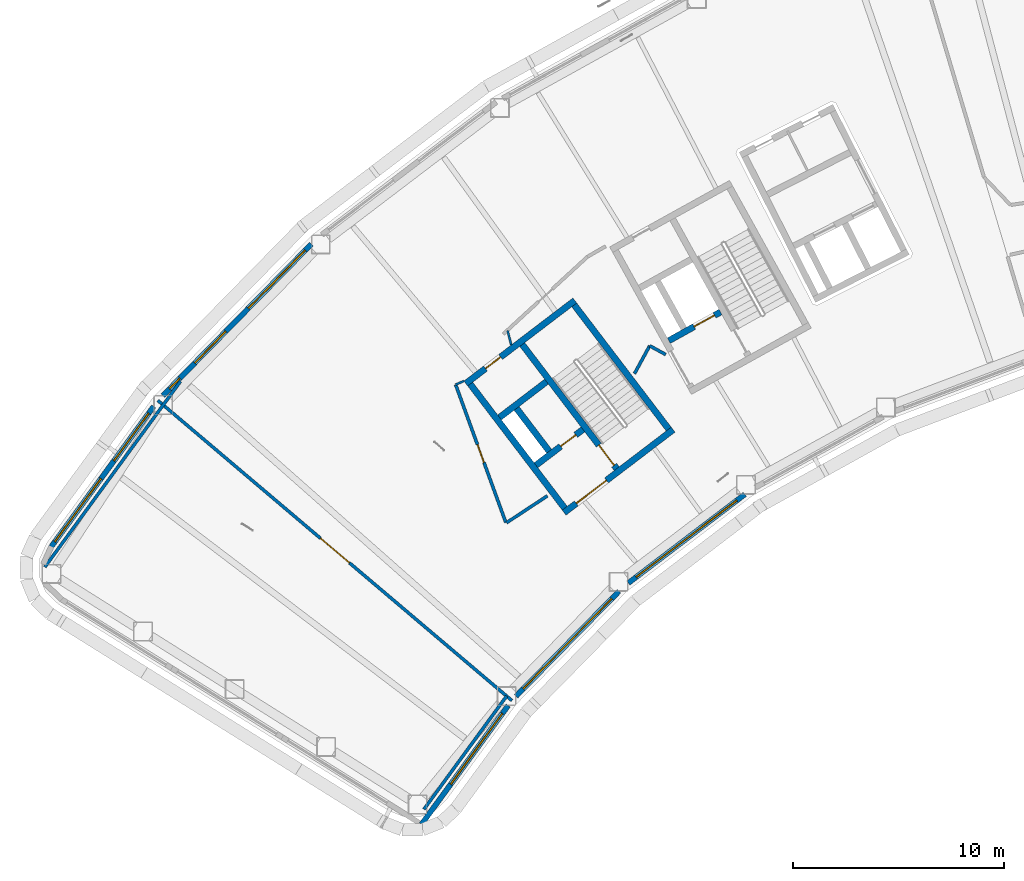
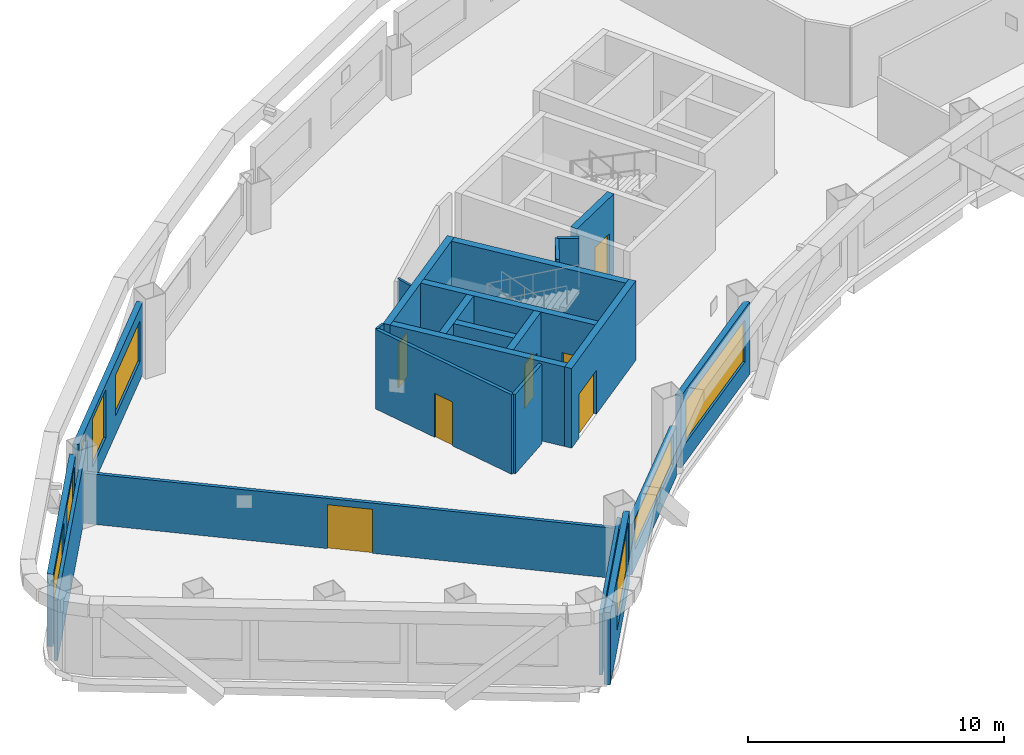
# One storey, part 5 of 20: 23 walls, 8 windows, 7 doors, 15 openings.
"""IFC4 building model written with IfcOpenShell, lengths in metres."""

from ifc_helpers import new_model, si_unit, direction, frame, frame_2d, origin, place, context, subcontext, project, spatial, rectangle, extrude, material, layer, layer_set, type_object, element, fill, save


model = new_model("IFC4")

# Units and contexts
model_context = context("Model", 3, precision=1e-05, world=origin(), true_north=direction((0.0, 1.0)))
body_context = subcontext(model_context, "Body", "Model", "MODEL_VIEW")
ifc_project = project(units=[si_unit("LENGTHUNIT", "METRE"), si_unit("AREAUNIT", "SQUARE_METRE"), si_unit("VOLUMEUNIT", "CUBIC_METRE"), si_unit("PLANEANGLEUNIT", "RADIAN"), si_unit("MASSUNIT", "GRAM", prefix="KILO")], contexts=[model_context])

# Site, building, storey
site_placement = place(None, origin())
site = spatial("IfcSite", under=ifc_project, at=site_placement, CompositionType="ELEMENT")
building_placement = place(site_placement, origin())
building = spatial("IfcBuilding", under=site, at=building_placement, Name="Tuul Gate Civic Tower", CompositionType="ELEMENT")
storey_placement = place(building_placement, frame((0.0, 0.0, 197.300048828125)))
storey = spatial("IfcBuildingStorey", under=building, at=storey_placement, Name="Level 45", CompositionType="ELEMENT", Elevation=197.300048828125)

# Wall, opening, door
ifc_material_1 = material(Name="Concrete C50/60", Category="concrete")
ifc_layer_1 = layer(ifc_material_1, 0.300048828125)
ifc_layer_set_1 = layer_set([ifc_layer_1], Name="Concrete C50/60")
wall_type_1 = type_object("IfcWallType", Name="Core wall C50/60", PredefinedType="SHEAR", material=ifc_layer_set_1)
wall_1_placement = place(storey_placement, frame((-31.19091796875, -13.669677734375, 0.0), z_axis=(0.0, 0.0, 1.0), x_axis=(-0.795606717756, -0.605813461934, 0.0)))
wall_1 = element("IfcWall", 1, at=wall_1_placement, inside=storey, type_object=wall_type_1, Name="Core wall", PredefinedType="SHEAR", context=body_context, shape_type="SweptSolid", body=[
    extrude(rectangle(XDim=6.5, YDim=0.300048828125, at=frame_2d((3.25, 0.0))), origin(), (0.0, 0.0, 1.0), 3.800048828125),
])
opening_1_placement = place(wall_1_placement, frame((3.97509765625, 0.0, 0.0)))
opening_1 = element("IfcOpeningElement", 2, at=opening_1_placement, cuts=wall_1, Name="Opening LB-W1-LOBBY-1", PredefinedType="OPENING", context=body_context, shape_type="SweptSolid", body=[
    extrude(rectangle(XDim=1.800048828125, YDim=2.10009765625, at=frame_2d((0.89990234375, 1.050048828125))), frame((0.0, 0.16015625, 0.0), z_axis=(0.0, -1.0, 0.0), x_axis=(1.0, 0.0, 0.0)), (0.0, 0.0, 1.0), 0.320068359375),
])
ifc_material_2 = material(Name="Steel", Category="steel")
door_type_1 = type_object("IfcDoorType", Name="Lobby door", OperationType="DOUBLE_DOOR_SINGLE_SWING", PredefinedType="DOOR", material=ifc_material_2)
door_1_placement = place(opening_1_placement, origin())
door_1 = element("IfcDoor", 3, at=door_1_placement, inside=storey, type_object=door_type_1, Name="Lobby door W1-LOBBY", OperationType="DOUBLE_DOOR_SINGLE_SWING", OverallHeight=2.10009765625, OverallWidth=1.800048828125, PredefinedType="DOOR", context=body_context, shape_type="SweptSolid", body=[
    extrude(rectangle(XDim=1.800048828125, YDim=2.10009765625, at=frame_2d((0.89990234375, 1.050048828125))), frame((0.0, 0.02490234375, 0.0), z_axis=(0.0, -1.0, 0.0), x_axis=(1.0, 0.0, 0.0)), (0.0, 0.0, 1.0), 0.050048828125),
])
fill(opening_1, door_1)

wall_2_placement = place(storey_placement, frame((-35.470947265625, -13.66064453125, 0.0), z_axis=(0.0, 0.0, 1.0), x_axis=(-0.795615822227, -0.605801504968, 0.0)))
wall_2 = element("IfcWall", 4, at=wall_2_placement, inside=storey, type_object=wall_type_1, Name="Core wall", PredefinedType="SHEAR", context=body_context, shape_type="SweptSolid", body=[
    extrude(rectangle(XDim=2.800048828125, YDim=0.300048828125, at=frame_2d((1.39990234375, 0.0))), origin(), (0.0, 0.0, 1.0), 3.800048828125),
])
opening_2_placement = place(wall_2_placement, frame((0.425048828125, 0.0, 0.0)))
opening_2 = element("IfcOpeningElement", 5, at=opening_2_placement, cuts=wall_2, Name="Opening FB-W1A1", PredefinedType="OPENING", context=body_context, shape_type="SweptSolid", body=[
    extrude(rectangle(XDim=0.89990234375, YDim=2.10009765625, at=frame_2d((0.449951171875, 1.050048828125))), frame((0.0, 0.16015625, 0.0), z_axis=(0.0, -1.0, 0.0), x_axis=(1.0, 0.0, 0.0)), (0.0, 0.0, 1.0), 0.320068359375),
])
ifc_material_3 = material(Name="Steel", Category="steel")
door_type_2 = type_object("IfcDoorType", Name="Store door", OperationType="NOTDEFINED", PredefinedType="DOOR", material=ifc_material_3)
door_2_placement = place(opening_2_placement, origin())
door_2 = element("IfcDoor", 6, at=door_2_placement, inside=storey, type_object=door_type_2, Name="Store door W1A1", OperationType="SINGLE_SWING_LEFT", OverallHeight=2.10009765625, OverallWidth=0.89990234375, PredefinedType="DOOR", context=body_context, shape_type="SweptSolid", body=[
    extrude(rectangle(XDim=0.89990234375, YDim=2.10009765625, at=frame_2d((0.449951171875, 1.050048828125))), frame((0.0, 0.02490234375, 0.0), z_axis=(0.0, -1.0, 0.0), x_axis=(1.0, 0.0, 0.0)), (0.0, 0.0, 1.0), 0.050048828125),
])
fill(opening_2, door_2)

# Wall
wall_3_placement = place(storey_placement, frame((-37.197509765625, -11.39306640625, 0.0), z_axis=(0.0, 0.0, 1.0), x_axis=(-0.795583820278, -0.605843531707, 0.0)))
element("IfcWall", 7, at=wall_3_placement, inside=storey, type_object=wall_type_1, Name="Core wall", PredefinedType="SHEAR", context=body_context, shape_type="SweptSolid", body=[
    extrude(rectangle(XDim=2.7998046875, YDim=0.300048828125, at=frame_2d((1.39990234375, 0.0))), origin(), (0.0, 0.0, 1.0), 3.800048828125),
])

# Wall, opening, door
wall_4_placement = place(storey_placement, frame((-35.855224609375, -7.543212890625, 0.0), z_axis=(0.0, 0.0, 1.0), x_axis=(-0.79563860527, -0.605771582202, 0.0)))
wall_4 = element("IfcWall", 8, at=wall_4_placement, inside=storey, type_object=wall_type_1, Name="Core wall", PredefinedType="SHEAR", context=body_context, shape_type="SweptSolid", body=[
    extrude(rectangle(XDim=6.5, YDim=0.300048828125, at=frame_2d((3.25, 0.0))), origin(), (0.0, 0.0, 1.0), 3.800048828125),
])
opening_3_placement = place(wall_4_placement, frame((4.425048828125, 0.0, 0.0)))
opening_3 = element("IfcOpeningElement", 9, at=opening_3_placement, cuts=wall_4, Name="Opening P-D12", PredefinedType="OPENING", context=body_context, shape_type="SweptSolid", body=[
    extrude(rectangle(XDim=0.89990234375, YDim=2.10009765625, at=frame_2d((0.449951171875, 1.050048828125))), frame((0.0, 0.16015625, 0.0), z_axis=(0.0, -1.0, 0.0), x_axis=(1.0, 0.0, 0.0)), (0.0, 0.0, 1.0), 0.320068359375),
])
ifc_material_4 = material(Name="Timber door leaf", Category="wood")
door_type_3 = type_object("IfcDoorType", Name="Door D09", OperationType="NOTDEFINED", PredefinedType="DOOR", material=ifc_material_4)
door_3_placement = place(opening_3_placement, origin())
door_3 = element("IfcDoor", 10, at=door_3_placement, inside=storey, type_object=door_type_3, Name="Door P-D12", OperationType="SINGLE_SWING_LEFT", OverallHeight=2.10009765625, OverallWidth=0.89990234375, PredefinedType="DOOR", context=body_context, shape_type="SweptSolid", body=[
    extrude(rectangle(XDim=0.89990234375, YDim=2.10009765625, at=frame_2d((0.449951171875, 1.050048828125))), frame((0.0, 0.02490234375, 0.0), z_axis=(0.0, -1.0, 0.0), x_axis=(1.0, 0.0, 0.0)), (0.0, 0.0, 1.0), 0.050048828125),
])
fill(opening_3, door_3)

# Wall
wall_5_placement = place(storey_placement, frame((-31.401123046875, -13.64111328125, 0.0), z_axis=(0.0, 0.0, 1.0), x_axis=(-0.605769822278, 0.795639945213, 0.0)))
element("IfcWall", 11, at=wall_5_placement, inside=storey, type_object=wall_type_1, Name="Core wall", PredefinedType="SHEAR", context=body_context, shape_type="SweptSolid", body=[
    extrude(rectangle(XDim=7.39990234375, YDim=0.300048828125, at=frame_2d((3.699951171875, 0.0))), origin(), (0.0, 0.0, 1.0), 3.800048828125),
])

# Wall, opening, door
wall_6_placement = place(storey_placement, frame((-33.867431640625, -15.51904296875, 0.0), z_axis=(0.0, 0.0, 1.0), x_axis=(-0.605769822278, 0.795639945213, 0.0)))
wall_6 = element("IfcWall", 12, at=wall_6_placement, inside=storey, type_object=wall_type_1, Name="Core wall", PredefinedType="SHEAR", context=body_context, shape_type="SweptSolid", body=[
    extrude(rectangle(XDim=7.39990234375, YDim=0.300048828125, at=frame_2d((3.699951171875, 0.0))), origin(), (0.0, 0.0, 1.0), 3.800048828125),
])
opening_4_placement = place(wall_6_placement, frame((0.199951171875, 0.0, 0.0)))
opening_4 = element("IfcOpeningElement", 13, at=opening_4_placement, cuts=wall_6, Name="Opening SD-ST-1", PredefinedType="OPENING", context=body_context, shape_type="SweptSolid", body=[
    extrude(rectangle(XDim=1.199951171875, YDim=2.10009765625, at=frame_2d((0.60009765625, 1.050048828125))), frame((0.0, 0.16015625, 0.0), z_axis=(0.0, -1.0, 0.0), x_axis=(1.0, 0.0, 0.0)), (0.0, 0.0, 1.0), 0.320068359375),
])
ifc_material_5 = material(Name="Steel", Category="steel")
door_type_4 = type_object("IfcDoorType", Name="Stair door", OperationType="NOTDEFINED", PredefinedType="DOOR", material=ifc_material_5)
door_4_placement = place(opening_4_placement, origin())
door_4 = element("IfcDoor", 14, at=door_4_placement, inside=storey, type_object=door_type_4, Name="Stair door ST-1", OperationType="SINGLE_SWING_LEFT", OverallHeight=2.10009765625, OverallWidth=1.199951171875, PredefinedType="DOOR", context=body_context, shape_type="SweptSolid", body=[
    extrude(rectangle(XDim=1.199951171875, YDim=2.10009765625, at=frame_2d((0.60009765625, 1.050048828125))), frame((0.0, 0.02490234375, 0.0), z_axis=(0.0, -1.0, 0.0), x_axis=(1.0, 0.0, 0.0)), (0.0, 0.0, 1.0), 0.050048828125),
])
fill(opening_4, door_4)

# Walls
wall_7_placement = place(storey_placement, frame((-37.073486328125, -14.6923828125, 0.0), z_axis=(0.0, 0.0, 1.0), x_axis=(-0.605728760074, 0.79567120673, 0.0)))
element("IfcWall", 15, at=wall_7_placement, inside=storey, type_object=wall_type_1, Name="Core wall", PredefinedType="SHEAR", context=body_context, shape_type="SweptSolid", body=[
    extrude(rectangle(XDim=2.550048828125, YDim=0.300048828125, at=frame_2d((1.27490234375, 0.0))), origin(), (0.0, 0.0, 1.0), 3.800048828125),
])
wall_8_placement = place(storey_placement, frame((-36.333984375, -17.397216796875, 0.0), z_axis=(0.0, 0.0, 1.0), x_axis=(-0.605753921168, 0.795652051458, 0.0)))
element("IfcWall", 16, at=wall_8_placement, inside=storey, type_object=wall_type_1, Name="Core wall", PredefinedType="SHEAR", context=body_context, shape_type="SweptSolid", body=[
    extrude(rectangle(XDim=7.400146484375, YDim=0.300048828125, at=frame_2d((3.7001953125, 0.0))), origin(), (0.0, 0.0, 1.0), 3.800048828125),
])

# Wall, opening, door
wall_9_placement = place(storey_placement, frame((-28.94580078125, -8.090087890625, 0.0), z_axis=(0.0, 0.0, 1.0), x_axis=(-0.874629840737, -0.484791338301, 0.0)))
wall_9 = element("IfcWall", 17, at=wall_9_placement, inside=storey, type_object=wall_type_1, Name="Core wall", PredefinedType="SHEAR", context=body_context, shape_type="SweptSolid", body=[
    extrude(rectangle(XDim=2.800048828125, YDim=0.300048828125, at=frame_2d((1.39990234375, 0.0))), origin(), (0.0, 0.0, 1.0), 3.800048828125),
])
opening_5_placement = place(wall_9_placement, frame((0.324951171875, 0.0, 0.0)))
opening_5 = element("IfcOpeningElement", 18, at=opening_5_placement, cuts=wall_9, Name="Opening LD-FF-1", PredefinedType="OPENING", context=body_context, shape_type="SweptSolid", body=[
    extrude(rectangle(XDim=1.10009765625, YDim=2.10009765625, at=frame_2d((0.550048828125, 1.050048828125))), frame((0.0, 0.16015625, 0.0), z_axis=(0.0, -1.0, 0.0), x_axis=(1.0, 0.0, 0.0)), (0.0, 0.0, 1.0), 0.320068359375),
])
ifc_material_6 = material(Name="Stainless steel", Category="steel")
door_type_5 = type_object("IfcDoorType", Name="Landing door", OperationType="DOUBLE_DOOR_SLIDING", PredefinedType="DOOR", material=ifc_material_6)
door_5_placement = place(opening_5_placement, origin())
door_5 = element("IfcDoor", 19, at=door_5_placement, inside=storey, type_object=door_type_5, Name="Fire-fighting lift FF-1 landing door", OperationType="DOUBLE_DOOR_SLIDING", OverallHeight=2.10009765625, OverallWidth=1.10009765625, PredefinedType="DOOR", context=body_context, shape_type="SweptSolid", body=[
    extrude(rectangle(XDim=1.10009765625, YDim=2.10009765625, at=frame_2d((0.550048828125, 1.050048828125))), frame((0.0, 0.02490234375, 0.0), z_axis=(0.0, -1.0, 0.0), x_axis=(1.0, 0.0, 0.0)), (0.0, 0.0, 1.0), 0.050048828125),
])
fill(opening_5, door_5)

# Walls
ifc_material_7 = material(Name="Gypsum board partition")
ifc_layer_2 = layer(ifc_material_7, 0.14990234375)
ifc_layer_set_2 = layer_set([ifc_layer_2], Name="Gypsum board partition")
wall_type_2 = type_object("IfcWallType", Name="Corridor wall P150", PredefinedType="PARTITIONING", material=ifc_layer_set_2)
wall_10_placement = place(storey_placement, frame((-32.30224609375, -9.691162109375, 0.0), z_axis=(0.0, 0.0, 1.0), x_axis=(0.877192627752, -0.480138619378, 0.0)))
element("IfcWall", 20, at=wall_10_placement, inside=storey, type_object=wall_type_2, Name="p033", PredefinedType="PARTITIONING", context=body_context, shape_type="SweptSolid", body=[
    extrude(rectangle(XDim=0.864013671875, YDim=0.14990234375, at=frame_2d((0.43212890625, 0.0))), origin(), (0.0, 0.0, 1.0), 3.800048828125),
])
wall_11_placement = place(storey_placement, frame((-33.025390625, -11.01171875, 0.0), z_axis=(0.0, 0.0, 1.0), x_axis=(0.479999637959, 0.87726868607, 0.0)))
element("IfcWall", 21, at=wall_11_placement, inside=storey, type_object=wall_type_2, Name="p034", PredefinedType="PARTITIONING", context=body_context, shape_type="SweptSolid", body=[
    extrude(rectangle(XDim=1.505126953125, YDim=0.14990234375, at=frame_2d((0.75244140625, 0.0))), origin(), (0.0, 0.0, 1.0), 3.800048828125),
])
wall_12_placement = place(storey_placement, frame((-39.0966796875, -18.0869140625, 0.0), z_axis=(0.0, 0.0, 1.0), x_axis=(0.835273398687, 0.549834838334, 0.0)))
element("IfcWall", 22, at=wall_12_placement, inside=storey, type_object=wall_type_2, Name="p035", PredefinedType="PARTITIONING", context=body_context, shape_type="SweptSolid", body=[
    extrude(rectangle(XDim=2.320556640625, YDim=0.14990234375, at=frame_2d((1.16015625, 0.0))), origin(), (0.0, 0.0, 1.0), 3.800048828125),
])

# Wall, opening, door
wall_13_placement = place(storey_placement, frame((-41.51025390625, -11.533447265625, 0.0), z_axis=(0.0, 0.0, 1.0), x_axis=(0.342294701166, -0.939592644476, 0.0)))
wall_13 = element("IfcWall", 23, at=wall_13_placement, inside=storey, type_object=wall_type_2, Name="p036", PredefinedType="PARTITIONING", context=body_context, shape_type="SweptSolid", body=[
    extrude(rectangle(XDim=6.964111328125, YDim=0.14990234375, at=frame_2d((3.48193359375, 0.0))), origin(), (0.0, 0.0, 1.0), 3.800048828125),
])
opening_6_placement = place(wall_13_placement, frame((3.031982421875, 0.0, 0.0)))
opening_6 = element("IfcOpeningElement", 24, at=opening_6_placement, cuts=wall_13, Name="Opening P-D10", PredefinedType="OPENING", context=body_context, shape_type="SweptSolid", body=[
    extrude(rectangle(XDim=0.89990234375, YDim=2.10009765625, at=frame_2d((0.449951171875, 1.050048828125))), frame((0.0, 0.0849609375, 0.0), z_axis=(0.0, -1.0, 0.0), x_axis=(1.0, 0.0, 0.0)), (0.0, 0.0, 1.0), 0.169921875),
])
door_6_placement = place(opening_6_placement, origin())
door_6 = element("IfcDoor", 25, at=door_6_placement, inside=storey, type_object=door_type_3, Name="Door P-D10", OperationType="SINGLE_SWING_RIGHT", OverallHeight=2.10009765625, OverallWidth=0.89990234375, PredefinedType="DOOR", context=body_context, shape_type="SweptSolid", body=[
    extrude(rectangle(XDim=0.89990234375, YDim=2.10009765625, at=frame_2d((0.449951171875, 1.050048828125))), frame((0.0, 0.02490234375, 0.0), z_axis=(0.0, -1.0, 0.0), x_axis=(1.0, 0.0, 0.0)), (0.0, 0.0, 1.0), 0.050048828125),
])
fill(opening_6, door_6)

ifc_material_8 = material(Name="Gypsum board partition")
ifc_layer_3 = layer(ifc_material_8, 0.14990234375)
ifc_layer_set_3 = layer_set([ifc_layer_3], Name="Gypsum board partition")
wall_type_3 = type_object("IfcWallType", Name="Corridor wall P150 2400 HIGH", PredefinedType="PARTITIONING", material=ifc_layer_set_3)
wall_14_placement = place(storey_placement, frame((-55.634521484375, -12.2861328125, 0.0), z_axis=(0.0, 0.0, 1.0), x_axis=(0.762829966003, -0.646599136226, 0.0)))
wall_14 = element("IfcWall", 26, at=wall_14_placement, inside=storey, type_object=wall_type_3, Name="p010", PredefinedType="PARTITIONING", context=body_context, shape_type="SweptSolid", body=[
    extrude(rectangle(XDim=22.017333984375, YDim=0.14990234375, at=frame_2d((11.0087890625, 0.0))), origin(), (0.0, 0.0, 1.0), 2.39990234375),
])
opening_7_placement = place(wall_14_placement, frame((10.108642578125, 0.0, 0.0)))
opening_7 = element("IfcOpeningElement", 27, at=opening_7_placement, cuts=wall_14, Name="Opening P-D02", PredefinedType="OPENING", context=body_context, shape_type="SweptSolid", body=[
    extrude(rectangle(XDim=1.800048828125, YDim=2.10009765625, at=frame_2d((0.89990234375, 1.050048828125))), frame((0.0, 0.0849609375, 0.0), z_axis=(0.0, -1.0, 0.0), x_axis=(1.0, 0.0, 0.0)), (0.0, 0.0, 1.0), 0.169921875),
])
ifc_material_9 = material(Name="Timber door leaf, double", Category="wood")
door_type_6 = type_object("IfcDoorType", Name="Door D18", OperationType="DOUBLE_DOOR_SINGLE_SWING", PredefinedType="DOOR", material=ifc_material_9)
door_7_placement = place(opening_7_placement, frame((1.800048828125, 0.0, 0.0), z_axis=(0.0, 0.0, 1.0), x_axis=(-1.0, 0.0, 0.0)))
door_7 = element("IfcDoor", 28, at=door_7_placement, inside=storey, type_object=door_type_6, Name="Door P-D02", OperationType="DOUBLE_DOOR_SINGLE_SWING", OverallHeight=2.10009765625, OverallWidth=1.800048828125, PredefinedType="DOOR", context=body_context, shape_type="SweptSolid", body=[
    extrude(rectangle(XDim=1.800048828125, YDim=2.10009765625, at=frame_2d((0.900146484375, 1.050048828125))), frame((0.0, 0.02490234375, 0.0), z_axis=(0.0, -1.0, 0.0), x_axis=(1.0, 0.0, 0.0)), (0.0, 0.0, 1.0), 0.050048828125),
])
fill(opening_7, door_7)

# Walls
ifc_material_10 = material(Name="Gypsum board partition")
ifc_layer_4 = layer(ifc_material_10, 0.14990234375)
ifc_layer_set_4 = layer_set([ifc_layer_4], Name="Gypsum board partition")
wall_type_4 = type_object("IfcWallType", Name="Corridor wall P150 2900 HIGH", PredefinedType="PARTITIONING", material=ifc_layer_set_4)
wall_15_placement = place(storey_placement, frame((-60.9970703125, -20.188720703125, 0.0), z_axis=(0.0, 0.0, 1.0), x_axis=(0.589764634547, 0.807575182777, 0.0)))
element("IfcWall", 29, at=wall_15_placement, inside=storey, type_object=wall_type_4, Name="p009", PredefinedType="PARTITIONING", context=body_context, shape_type="SweptSolid", body=[
    extrude(rectangle(XDim=10.90966796875, YDim=0.14990234375, at=frame_2d((5.454833984375, 0.0))), origin(), (0.0, 0.0, 1.0), 2.89990234375),
])
wall_16_placement = place(storey_placement, frame((-43.01318359375, -31.67919921875, 0.0), z_axis=(0.0, 0.0, 1.0), x_axis=(0.589742259334, 0.807591522711, 0.0)))
element("IfcWall", 30, at=wall_16_placement, inside=storey, type_object=wall_type_4, Name="p011", PredefinedType="PARTITIONING", context=body_context, shape_type="SweptSolid", body=[
    extrude(rectangle(XDim=6.650146484375, YDim=0.14990234375, at=frame_2d((3.3251953125, 0.0))), origin(), (0.0, 0.0, 1.0), 2.89990234375),
])

# Wall, openings, windows
ifc_material_11 = material(Name="Precast concrete C40/50", Category="concrete")
ifc_layer_5 = layer(ifc_material_11, 0.25)
ifc_layer_set_5 = layer_set([ifc_layer_5], Name="Precast concrete C40/50")
wall_type_5 = type_object("IfcWallType", Name="External wall", PredefinedType="STANDARD", material=ifc_layer_set_5)
wall_17_placement = place(storey_placement, frame((-48.35791015625, -4.87060546875, 0.0), z_axis=(0.0, 0.0, 1.0), x_axis=(-0.700041790386, -0.714101877685, 0.0)))
wall_17 = element("IfcWall", 31, at=wall_17_placement, inside=storey, type_object=wall_type_5, Name="External wall", PredefinedType="STANDARD", context=body_context, shape_type="SweptSolid", body=[
    extrude(rectangle(XDim=10.0537109375, YDim=0.25, at=frame_2d((5.02685546875, 0.0))), origin(), (0.0, 0.0, 1.0), 3.449951171875),
])
opening_8_placement = place(wall_17_placement, frame((0.416015625, 0.0, 0.89990234375)))
opening_8 = element("IfcOpeningElement", 32, at=opening_8_placement, cuts=wall_17, Name="Opening W147", PredefinedType="OPENING", context=body_context, shape_type="SweptSolid", body=[
    extrude(rectangle(XDim=3.85009765625, YDim=1.949951171875, at=frame_2d((1.925048828125, 0.97509765625))), frame((0.0, 0.135009765625, 0.0), z_axis=(0.0, -1.0, 0.0), x_axis=(1.0, 0.0, 0.0)), (0.0, 0.0, 1.0), 0.27001953125),
])
opening_9_placement = place(wall_17_placement, frame((5.79345703125, 0.0, 0.89990234375)))
opening_9 = element("IfcOpeningElement", 33, at=opening_9_placement, cuts=wall_17, Name="Opening W40", PredefinedType="OPENING", context=body_context, shape_type="SweptSolid", body=[
    extrude(rectangle(XDim=2.10009765625, YDim=2.300048828125, at=frame_2d((1.050048828125, 1.14990234375))), frame((0.0, 0.135009765625, 0.0), z_axis=(0.0, -1.0, 0.0), x_axis=(1.0, 0.0, 0.0)), (0.0, 0.0, 1.0), 0.27001953125),
])
opening_10_placement = place(wall_17_placement, frame((8.905029296875, 0.0, 0.89990234375)))
opening_10 = element("IfcOpeningElement", 34, at=opening_10_placement, cuts=wall_17, Name="Opening W70", PredefinedType="OPENING", context=body_context, shape_type="SweptSolid", body=[
    extrude(rectangle(XDim=0.699951171875, YDim=2.300048828125, at=frame_2d((0.35009765625, 1.14990234375))), frame((0.0, 0.135009765625, 0.0), z_axis=(0.0, -1.0, 0.0), x_axis=(1.0, 0.0, 0.0)), (0.0, 0.0, 1.0), 0.27001953125),
])
ifc_material_12 = material(Name="Glass", Category="glass")
window_type_1 = type_object("IfcWindowType", Name="Window 2100 x 2300", PartitioningType="SINGLE_PANEL", PredefinedType="WINDOW", material=ifc_material_12)
window_1_placement = place(opening_9_placement, origin())
window_1 = element("IfcWindow", 35, at=window_1_placement, inside=storey, type_object=window_type_1, Name="Window", OverallHeight=2.300048828125, OverallWidth=2.10009765625, PartitioningType="SINGLE_PANEL", PredefinedType="WINDOW", context=body_context, shape_type="SweptSolid", body=[
    extrude(rectangle(XDim=2.10009765625, YDim=2.300048828125, at=frame_2d((1.050048828125, 1.14990234375))), frame((0.0, 0.030029296875, 0.0), z_axis=(0.0, -1.0, 0.0), x_axis=(1.0, 0.0, 0.0)), (0.0, 0.0, 1.0), 0.06005859375),
])
fill(opening_9, window_1)
ifc_material_13 = material(Name="Glass", Category="glass")
window_type_2 = type_object("IfcWindowType", Name="Window 700 x 2300", PartitioningType="SINGLE_PANEL", PredefinedType="WINDOW", material=ifc_material_13)
window_2_placement = place(opening_10_placement, origin())
window_2 = element("IfcWindow", 36, at=window_2_placement, inside=storey, type_object=window_type_2, Name="Window", OverallHeight=2.300048828125, OverallWidth=0.699951171875, PartitioningType="SINGLE_PANEL", PredefinedType="WINDOW", context=body_context, shape_type="SweptSolid", body=[
    extrude(rectangle(XDim=0.699951171875, YDim=2.300048828125, at=frame_2d((0.35009765625, 1.14990234375))), frame((0.0, 0.030029296875, 0.0), z_axis=(0.0, -1.0, 0.0), x_axis=(1.0, 0.0, 0.0)), (0.0, 0.0, 1.0), 0.06005859375),
])
fill(opening_10, window_2)
ifc_material_14 = material(Name="Glass", Category="glass")
window_type_3 = type_object("IfcWindowType", Name="Window W147 3850 x 1950", PartitioningType="SINGLE_PANEL", PredefinedType="WINDOW", material=ifc_material_14)
window_3_placement = place(opening_8_placement, origin())
window_3 = element("IfcWindow", 37, at=window_3_placement, inside=storey, type_object=window_type_3, Name="Window", OverallHeight=1.949951171875, OverallWidth=3.85009765625, PartitioningType="SINGLE_PANEL", PredefinedType="WINDOW", context=body_context, shape_type="SweptSolid", body=[
    extrude(rectangle(XDim=3.85009765625, YDim=1.949951171875, at=frame_2d((1.925048828125, 0.97509765625))), frame((0.0, 0.030029296875, 0.0), z_axis=(0.0, -1.0, 0.0), x_axis=(1.0, 0.0, 0.0)), (0.0, 0.0, 1.0), 0.06005859375),
])
fill(opening_8, window_3)

wall_18_placement = place(storey_placement, frame((-55.83203125, -12.565185546875, 0.0), z_axis=(0.0, 0.0, 1.0), x_axis=(-0.589755466838, -0.80758187779, 0.0)))
wall_18 = element("IfcWall", 38, at=wall_18_placement, inside=storey, type_object=wall_type_5, Name="External wall", PredefinedType="STANDARD", context=body_context, shape_type="SweptSolid", body=[
    extrude(rectangle(XDim=8.25244140625, YDim=0.25, at=frame_2d((4.126220703125, 0.0))), origin(), (0.0, 0.0, 1.0), 3.449951171875),
])
opening_11_placement = place(wall_18_placement, frame((0.39990234375, 0.0, 0.89990234375)))
opening_11 = element("IfcOpeningElement", 39, at=opening_11_placement, cuts=wall_18, Name="Opening W23", PredefinedType="OPENING", context=body_context, shape_type="SweptSolid", body=[
    extrude(rectangle(XDim=2.800048828125, YDim=2.300048828125, at=frame_2d((1.39990234375, 1.14990234375))), frame((0.0, 0.135009765625, 0.0), z_axis=(0.0, -1.0, 0.0), x_axis=(1.0, 0.0, 0.0)), (0.0, 0.0, 1.0), 0.27001953125),
])
opening_12_placement = place(wall_18_placement, frame((4.251708984375, 0.0, 0.89990234375)))
opening_12 = element("IfcOpeningElement", 40, at=opening_12_placement, cuts=wall_18, Name="Opening W21", PredefinedType="OPENING", context=body_context, shape_type="SweptSolid", body=[
    extrude(rectangle(XDim=3.699951171875, YDim=2.300048828125, at=frame_2d((1.85009765625, 1.14990234375))), frame((0.0, 0.135009765625, 0.0), z_axis=(0.0, -1.0, 0.0), x_axis=(1.0, 0.0, 0.0)), (0.0, 0.0, 1.0), 0.27001953125),
])
ifc_material_15 = material(Name="Glass", Category="glass")
window_type_4 = type_object("IfcWindowType", Name="Window W21 3700 x 2300", PartitioningType="SINGLE_PANEL", PredefinedType="WINDOW", material=ifc_material_15)
window_4_placement = place(opening_12_placement, origin())
window_4 = element("IfcWindow", 41, at=window_4_placement, inside=storey, type_object=window_type_4, Name="Window", OverallHeight=2.300048828125, OverallWidth=3.699951171875, PartitioningType="SINGLE_PANEL", PredefinedType="WINDOW", context=body_context, shape_type="SweptSolid", body=[
    extrude(rectangle(XDim=3.699951171875, YDim=2.300048828125, at=frame_2d((1.85009765625, 1.14990234375))), frame((0.0, 0.030029296875, 0.0), z_axis=(0.0, -1.0, 0.0), x_axis=(1.0, 0.0, 0.0)), (0.0, 0.0, 1.0), 0.06005859375),
])
fill(opening_12, window_4)
ifc_material_16 = material(Name="Glass", Category="glass")
window_type_5 = type_object("IfcWindowType", Name="Window W23 2800 x 2300", PartitioningType="SINGLE_PANEL", PredefinedType="WINDOW", material=ifc_material_16)
window_5_placement = place(opening_11_placement, origin())
window_5 = element("IfcWindow", 42, at=window_5_placement, inside=storey, type_object=window_type_5, Name="Window", OverallHeight=2.300048828125, OverallWidth=2.800048828125, PartitioningType="SINGLE_PANEL", PredefinedType="WINDOW", context=body_context, shape_type="SweptSolid", body=[
    extrude(rectangle(XDim=2.800048828125, YDim=2.300048828125, at=frame_2d((1.39990234375, 1.14990234375))), frame((0.0, 0.030029296875, 0.0), z_axis=(0.0, -1.0, 0.0), x_axis=(1.0, 0.0, 0.0)), (0.0, 0.0, 1.0), 0.06005859375),
])
fill(opening_11, window_5)

# Wall, opening, window
wall_19_placement = place(storey_placement, frame((-43.129638671875, -32.3896484375, 0.0), z_axis=(0.0, 0.0, 1.0), x_axis=(0.589748783254, 0.807586758591, 0.0)))
wall_19 = element("IfcWall", 43, at=wall_19_placement, inside=storey, type_object=wall_type_5, Name="External wall", PredefinedType="STANDARD", context=body_context, shape_type="SweptSolid", body=[
    extrude(rectangle(XDim=6.97216796875, YDim=0.25, at=frame_2d((3.486083984375, 0.0))), origin(), (0.0, 0.0, 1.0), 3.449951171875),
])
opening_13_placement = place(wall_19_placement, frame((2.357666015625, 0.0, 0.89990234375)))
opening_13 = element("IfcOpeningElement", 44, at=opening_13_placement, cuts=wall_19, Name="Opening W25", PredefinedType="OPENING", context=body_context, shape_type="SweptSolid", body=[
    extrude(rectangle(XDim=4.14990234375, YDim=2.300048828125, at=frame_2d((2.074951171875, 1.14990234375))), frame((0.0, 0.135009765625, 0.0), z_axis=(0.0, -1.0, 0.0), x_axis=(1.0, 0.0, 0.0)), (0.0, 0.0, 1.0), 0.27001953125),
])
ifc_material_17 = material(Name="Glass", Category="glass")
window_type_6 = type_object("IfcWindowType", Name="Window W25 4150 x 2300", PartitioningType="SINGLE_PANEL", PredefinedType="WINDOW", material=ifc_material_17)
window_6_placement = place(opening_13_placement, origin())
window_6 = element("IfcWindow", 45, at=window_6_placement, inside=storey, type_object=window_type_6, Name="Window", OverallHeight=2.300048828125, OverallWidth=4.14990234375, PartitioningType="SINGLE_PANEL", PredefinedType="WINDOW", context=body_context, shape_type="SweptSolid", body=[
    extrude(rectangle(XDim=4.14990234375, YDim=2.300048828125, at=frame_2d((2.074951171875, 1.14990234375))), frame((0.0, 0.030029296875, 0.0), z_axis=(0.0, -1.0, 0.0), x_axis=(1.0, 0.0, 0.0)), (0.0, 0.0, 1.0), 0.06005859375),
])
fill(opening_13, window_6)

wall_20_placement = place(storey_placement, frame((-33.314453125, -20.9443359375, 0.0), z_axis=(0.0, 0.0, 1.0), x_axis=(0.795585871099, 0.605840838593, 0.0)))
wall_20 = element("IfcWall", 46, at=wall_20_placement, inside=storey, type_object=wall_type_5, Name="External wall", PredefinedType="STANDARD", context=body_context, shape_type="SweptSolid", body=[
    extrude(rectangle(XDim=6.94287109375, YDim=0.25, at=frame_2d((3.471435546875, 0.0))), origin(), (0.0, 0.0, 1.0), 3.449951171875),
])
opening_14_placement = place(wall_20_placement, frame((0.4619140625, 0.0, 0.89990234375)))
opening_14 = element("IfcOpeningElement", 47, at=opening_14_placement, cuts=wall_20, Name="Opening W150", PredefinedType="OPENING", context=body_context, shape_type="SweptSolid", body=[
    extrude(rectangle(XDim=6.0, YDim=2.0, at=frame_2d((3.0, 1.0))), frame((0.0, 0.135009765625, 0.0), z_axis=(0.0, -1.0, 0.0), x_axis=(1.0, 0.0, 0.0)), (0.0, 0.0, 1.0), 0.27001953125),
])
ifc_material_18 = material(Name="Glass", Category="glass")
window_type_7 = type_object("IfcWindowType", Name="Window W150 6000 x 2000", PartitioningType="SINGLE_PANEL", PredefinedType="WINDOW", material=ifc_material_18)
window_7_placement = place(opening_14_placement, origin())
window_7 = element("IfcWindow", 48, at=window_7_placement, inside=storey, type_object=window_type_7, Name="Window", OverallHeight=2.0, OverallWidth=6.0, PartitioningType="SINGLE_PANEL", PredefinedType="WINDOW", context=body_context, shape_type="SweptSolid", body=[
    extrude(rectangle(XDim=6.0, YDim=2.0, at=frame_2d((3.0, 1.0))), frame((0.0, 0.030029296875, 0.0), z_axis=(0.0, -1.0, 0.0), x_axis=(1.0, 0.0, 0.0)), (0.0, 0.0, 1.0), 0.06005859375),
])
fill(opening_14, window_7)

ifc_material_19 = material(Name="Precast concrete C40/50", Category="concrete")
ifc_layer_6 = layer(ifc_material_19, 0.25)
ifc_layer_set_6 = layer_set([ifc_layer_6], Name="Precast concrete C40/50")
wall_type_6 = type_object("IfcWallType", Name="External wall 2400 HIGH", PredefinedType="STANDARD", material=ifc_layer_set_6)
wall_21_placement = place(storey_placement, frame((-38.64111328125, -26.313232421875, 0.0), z_axis=(0.0, 0.0, 1.0), x_axis=(0.700101181113, 0.71404365147, 0.0)))
wall_21 = element("IfcWall", 49, at=wall_21_placement, inside=storey, type_object=wall_type_6, Name="External wall", PredefinedType="STANDARD", context=body_context, shape_type="SweptSolid", body=[
    extrude(rectangle(XDim=6.96923828125, YDim=0.25, at=frame_2d((3.484619140625, 0.0))), origin(), (0.0, 0.0, 1.0), 2.39990234375),
])
opening_15_placement = place(wall_21_placement, frame((0.48388671875, 0.0, 0.89990234375)))
opening_15 = element("IfcOpeningElement", 50, at=opening_15_placement, cuts=wall_21, Name="Opening W107", PredefinedType="OPENING", context=body_context, shape_type="SweptSolid", body=[
    extrude(rectangle(XDim=6.0, YDim=1.449951171875, at=frame_2d((3.0, 0.72509765625))), frame((0.0, 0.135009765625, 0.0), z_axis=(0.0, -1.0, 0.0), x_axis=(1.0, 0.0, 0.0)), (0.0, 0.0, 1.0), 0.27001953125),
])
ifc_material_20 = material(Name="Glass", Category="glass")
window_type_8 = type_object("IfcWindowType", Name="Window W107 6000 x 1450", PartitioningType="SINGLE_PANEL", PredefinedType="WINDOW", material=ifc_material_20)
window_8_placement = place(opening_15_placement, origin())
window_8 = element("IfcWindow", 51, at=window_8_placement, inside=storey, type_object=window_type_8, Name="Window", OverallHeight=1.449951171875, OverallWidth=6.0, PartitioningType="SINGLE_PANEL", PredefinedType="WINDOW", context=body_context, shape_type="SweptSolid", body=[
    extrude(rectangle(XDim=6.0, YDim=1.449951171875, at=frame_2d((3.0, 0.72509765625))), frame((0.0, 0.030029296875, 0.0), z_axis=(0.0, -1.0, 0.0), x_axis=(1.0, 0.0, 0.0)), (0.0, 0.0, 1.0), 0.06005859375),
])
fill(opening_15, window_8)

# Walls
ifc_material_21 = material(Name="Gypsum board partition")
ifc_layer_7 = layer(ifc_material_21, 0.10009765625)
ifc_layer_set_7 = layer_set([ifc_layer_7], Name="Gypsum board partition")
wall_type_7 = type_object("IfcWallType", Name="Partition P100", PredefinedType="PARTITIONING", material=ifc_layer_set_7)
wall_22_placement = place(storey_placement, frame((-38.8701171875, -9.650146484375, 0.0), z_axis=(0.0, 0.0, 1.0), x_axis=(-0.251143733224, 0.967949805136, 0.0)))
element("IfcWall", 52, at=wall_22_placement, inside=storey, type_object=wall_type_7, Name="p043", PredefinedType="PARTITIONING", context=body_context, shape_type="SweptSolid", body=[
    extrude(rectangle(XDim=0.699951171875, YDim=0.10009765625, at=frame_2d((0.35009765625, 0.0))), origin(), (0.0, 0.0, 1.0), 3.800048828125),
])
wall_23_placement = place(storey_placement, frame((-41.51025390625, -11.533447265625, 0.0), z_axis=(0.0, 0.0, 1.0), x_axis=(0.916052705894, 0.401057901088, 0.0)))
element("IfcWall", 53, at=wall_23_placement, inside=storey, type_object=wall_type_7, Name="p048", PredefinedType="PARTITIONING", context=body_context, shape_type="SweptSolid", body=[
    extrude(rectangle(XDim=0.428466796875, YDim=0.10009765625, at=frame_2d((0.21435546875, 0.0))), origin(), (0.0, 0.0, 1.0), 3.800048828125),
])

save(model, "model.ifc")
